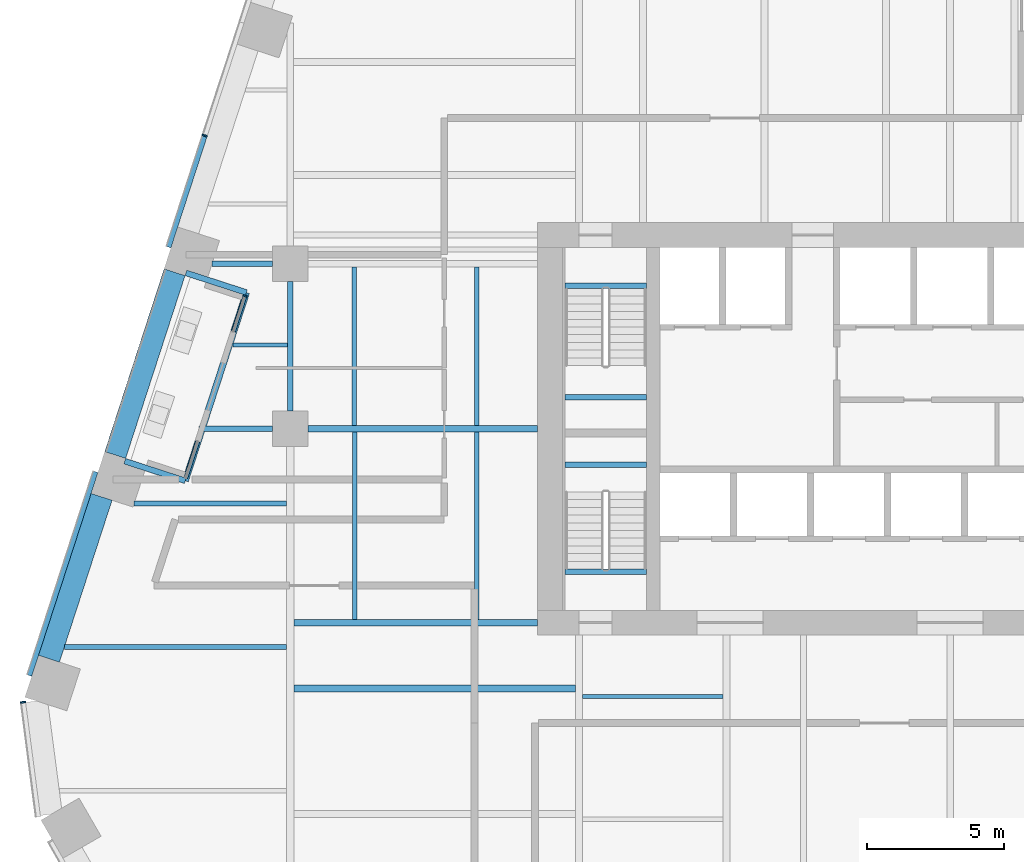
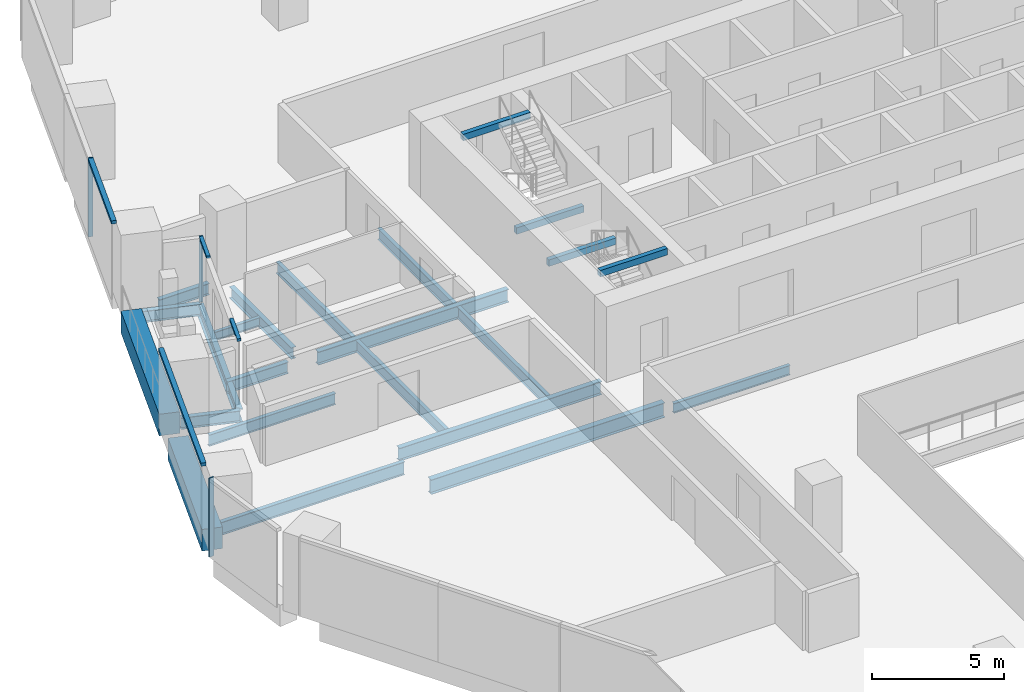
# One storey, part 10 of 28: 23 beams, 7 members, 3 elements without a shape of their own.
"""IFC4 building model written with IfcOpenShell, lengths in metres."""

from ifc_helpers import new_model, si_unit, direction, frame, origin, origin_2d, place, context, subcontext, project, spatial, rectangle, i_section, extrude, material, layer, layer_set, material_profile, profile_set, type_object, element, aggregate, save


model = new_model("IFC4")

# Units and contexts
model_context = context("Model", 3, precision=1e-05, world=origin(), true_north=direction((0.0, 1.0)))
body_context = subcontext(model_context, "Body", "Model", "MODEL_VIEW")
ifc_project = project(units=[si_unit("LENGTHUNIT", "METRE"), si_unit("AREAUNIT", "SQUARE_METRE"), si_unit("VOLUMEUNIT", "CUBIC_METRE"), si_unit("PLANEANGLEUNIT", "RADIAN"), si_unit("MASSUNIT", "GRAM", prefix="KILO")], contexts=[model_context])

# Site, building, storey
site_placement = place(None, origin())
site = spatial("IfcSite", under=ifc_project, at=site_placement, CompositionType="ELEMENT")
building_placement = place(site_placement, origin())
building = spatial("IfcBuilding", under=site, at=building_placement, Name="Isthmus Gate Tower", CompositionType="ELEMENT")
storey_placement = place(building_placement, frame((0.0, 0.0, 84.300048828125)))
storey = spatial("IfcBuildingStorey", under=building, at=storey_placement, Name="L19", CompositionType="ELEMENT", Elevation=84.300048828125)

# Curtain wall, member
ifc_material_1 = material(Name="Aluminium, pale champagne anodised", Category="aluminium")
ifc_layer_1 = layer(ifc_material_1, 0.199951171875)
ifc_layer_set_1 = layer_set([ifc_layer_1], Name="CW-1 UNITISED CURTAIN WALL 200 DEEP")
curtain_wall_type_1 = type_object("IfcCurtainWallType", Name="CW-1 UNITISED CURTAIN WALL 200 DEEP", PredefinedType="NOTDEFINED", material=ifc_layer_set_1)
curtain_wall_1_placement = place(storey_placement, origin())
curtain_wall_1 = element("IfcCurtainWall", 1, at=curtain_wall_1_placement, inside=storey, type_object=curtain_wall_type_1, Name="CW-1 NW L19", PredefinedType="NOTDEFINED")
ifc_material_2 = material(Name="Aluminium, pale champagne anodised", Category="aluminium")
ifc_material_profile_1 = material_profile(ifc_material_2, rectangle(XDim=0.06005859375, YDim=0.199951171875, at=origin_2d()), Name="60x200")
ifc_profile_set_1 = profile_set([ifc_material_profile_1], Name="Aluminium, pale champagne anodised")
member_type_1 = type_object("IfcMemberType", Name="CW-1 MULLION 60 X 200", PredefinedType="MULLION", material=ifc_profile_set_1)
member_1_placement = place(storey_placement, frame((-27.11474609375, 18.163818359375, 0.0), z_axis=(0.0, 0.0, 1.0), x_axis=(-0.309016994375, -0.951056516295, 0.0)))
member_1 = element("IfcMember", 2, at=member_1_placement, type_object=member_type_1, Name="CW-1 mullion", PredefinedType="MULLION", context=body_context, shape_type="SweptSolid", body=[
    extrude(rectangle(XDim=0.06005859375, YDim=0.199951171875, at=origin_2d()), origin(), (0.0, 0.0, 1.0), 3.64990234375),
])

curtain_wall_2_placement = place(storey_placement, origin())
curtain_wall_2 = element("IfcCurtainWall", 3, at=curtain_wall_2_placement, inside=storey, type_object=curtain_wall_type_1, Name="CW-1 NW-SW L19", PredefinedType="NOTDEFINED")
member_2_placement = place(storey_placement, frame((-33.722900390625, -2.44482421875, 0.0), z_axis=(0.0, 0.0, 1.0), x_axis=(0.129164534, -0.991623175988, 0.0)))
member_2 = element("IfcMember", 4, at=member_2_placement, type_object=member_type_1, Name="CW-1 mullion", PredefinedType="MULLION", context=body_context, shape_type="SweptSolid", body=[
    extrude(rectangle(XDim=0.06005859375, YDim=0.199951171875, at=origin_2d()), origin(), (0.0, 0.0, 1.0), 3.64990234375),
])
aggregate(curtain_wall_2, [member_2])

# Member
ifc_material_3 = material(Name="Aluminium, pale champagne anodised", Category="aluminium")
ifc_material_profile_2 = material_profile(ifc_material_3, rectangle(XDim=0.199951171875, YDim=0.14990234375, at=origin_2d()), Name="200x150")
ifc_profile_set_2 = profile_set([ifc_material_profile_2], Name="Aluminium, pale champagne anodised")
member_type_2 = type_object("IfcMemberType", Name="CW-1 TRANSOM 200 X 150", PredefinedType="USERDEFINED", material=ifc_profile_set_2)
member_3_placement = place(storey_placement, frame((-27.1240234375, 18.13525390625, 3.574951171875), z_axis=(-0.309023496777, -0.951054403512, 0.0), x_axis=(0.951054403512, -0.309023496777, 0.0)))
member_3 = element("IfcMember", 5, at=member_3_placement, type_object=member_type_2, Name="CW-1 transom", ObjectType="TRANSOM", PredefinedType="USERDEFINED", context=body_context, shape_type="SweptSolid", body=[
    extrude(rectangle(XDim=0.199951171875, YDim=0.14990234375, at=origin_2d()), origin(), (0.0, 0.0, 1.0), 4.234619140625),
])

member_4_placement = place(storey_placement, frame((-31.0869140625, 5.93896484375, 3.574951171875), z_axis=(-0.309015907338, -0.951056869494, 0.0), x_axis=(0.951056869494, -0.309015907338, 0.0)))
member_4 = element("IfcMember", 6, at=member_4_placement, type_object=member_type_2, Name="CW-1 transom", ObjectType="TRANSOM", PredefinedType="USERDEFINED", context=body_context, shape_type="SweptSolid", body=[
    extrude(rectangle(XDim=0.199951171875, YDim=0.14990234375, at=origin_2d()), origin(), (0.0, 0.0, 1.0), 7.789306640625),
])

aggregate(curtain_wall_1, [member_1, member_3, member_4])

# Curtain wall, members
ifc_material_4 = material(Name="Aluminium, pale champagne anodised", Category="aluminium")
ifc_layer_2 = layer(ifc_material_4, 0.14990234375)
ifc_layer_set_2 = layer_set([ifc_layer_2], Name="CW-6 LOGGIA BACK WALL GLAZING 150 DEEP")
curtain_wall_type_2 = type_object("IfcCurtainWallType", Name="CW-6 LOGGIA BACK WALL GLAZING 150 DEEP", PredefinedType="NOTDEFINED", material=ifc_layer_set_2)
curtain_wall_3_placement = place(storey_placement, origin())
curtain_wall_3 = element("IfcCurtainWall", 7, at=curtain_wall_3_placement, inside=storey, type_object=curtain_wall_type_2, Name="CW-6 NW L19", PredefinedType="NOTDEFINED")
ifc_material_5 = material(Name="Aluminium, pale champagne anodised", Category="aluminium")
ifc_material_profile_3 = material_profile(ifc_material_5, rectangle(XDim=0.06005859375, YDim=0.14990234375, at=origin_2d()), Name="60x150")
ifc_profile_set_3 = profile_set([ifc_material_profile_3], Name="Aluminium, pale champagne anodised")
member_type_3 = type_object("IfcMemberType", Name="CW-6 MULLION 60 X 150", PredefinedType="MULLION", material=ifc_profile_set_3)
member_5_placement = place(storey_placement, frame((-25.645751953125, 12.329833984375, 0.0), z_axis=(0.0, 0.0, 1.0), x_axis=(-0.309016994375, -0.951056516295, 0.0)))
member_5 = element("IfcMember", 8, at=member_5_placement, type_object=member_type_3, Name="CW-6 mullion", PredefinedType="MULLION", context=body_context, shape_type="SweptSolid", body=[
    extrude(rectangle(XDim=0.06005859375, YDim=0.14990234375, at=origin_2d()), origin(), (0.0, 0.0, 1.0), 3.050048828125),
])
ifc_material_6 = material(Name="Aluminium, pale champagne anodised", Category="aluminium")
ifc_material_profile_4 = material_profile(ifc_material_6, rectangle(XDim=0.14990234375, YDim=0.1201171875, at=origin_2d()), Name="150x120")
ifc_profile_set_4 = profile_set([ifc_material_profile_4], Name="Aluminium, pale champagne anodised")
member_type_4 = type_object("IfcMemberType", Name="CW-6 TRANSOM 150 X 120", PredefinedType="USERDEFINED", material=ifc_profile_set_4)
member_6_placement = place(storey_placement, frame((-25.655029296875, 12.30126953125, 2.989990234375), z_axis=(-0.309086072338, -0.951034068731, 0.0), x_axis=(0.951034068731, -0.309086072338, 0.0)))
member_6 = element("IfcMember", 9, at=member_6_placement, type_object=member_type_4, Name="CW-6 transom", ObjectType="TRANSOM", PredefinedType="USERDEFINED", context=body_context, shape_type="SweptSolid", body=[
    extrude(rectangle(XDim=0.14990234375, YDim=0.1201171875, at=origin_2d()), origin(), (0.0, 0.0, 1.0), 1.3349609375),
])
member_7_placement = place(storey_placement, frame((-27.365478515625, 7.037353515625, 2.989990234375), z_axis=(-0.308971280217, -0.951071368511, 0.0), x_axis=(0.951071368511, -0.308971280217, 0.0)))
member_7 = element("IfcMember", 10, at=member_7_placement, type_object=member_type_4, Name="CW-6 transom", ObjectType="TRANSOM", PredefinedType="USERDEFINED", context=body_context, shape_type="SweptSolid", body=[
    extrude(rectangle(XDim=0.14990234375, YDim=0.1201171875, at=origin_2d()), origin(), (0.0, 0.0, 1.0), 1.394775390625),
])
aggregate(curtain_wall_3, [member_5, member_6, member_7])

# Beams
ifc_material_7 = material(Name="Concrete f'c 70 MPa", Category="concrete")
ifc_material_profile_5 = material_profile(ifc_material_7, rectangle(XDim=0.800048828125, YDim=1.0, at=origin_2d()), Name="RC 800X1000")
ifc_profile_set_5 = profile_set([ifc_material_profile_5], Name="Concrete f'c 70 MPa")
beam_type_1 = type_object("IfcBeamType", Name="RC SPANDREL 800 X 1000", PredefinedType="SPANDREL", material=ifc_profile_set_5)
beam_1_placement = place(storey_placement, frame((-32.771240234375, -0.86279296875, -0.5), z_axis=(0.309012042366, 0.951058125286, 0.0), x_axis=(-0.951058125286, 0.309012042366, 0.0)))
element("IfcBeam", 11, at=beam_1_placement, inside=storey, type_object=beam_type_1, Name="str-spandrel-L19-18", PredefinedType="SPANDREL", context=body_context, shape_type="SweptSolid", body=[
    extrude(rectangle(XDim=0.800048828125, YDim=1.0, at=origin_2d()), origin(), (0.0, 0.0, 1.0), 6.189453125),
])
beam_2_placement = place(storey_placement, frame((-30.3642578125, 6.54541015625, -0.5), z_axis=(0.309029993465, 0.951052292537, 0.0), x_axis=(-0.951052292537, 0.309029993465, 0.0)))
element("IfcBeam", 12, at=beam_2_placement, inside=storey, type_object=beam_type_1, Name="str-spandrel-L19-19", PredefinedType="SPANDREL", context=body_context, shape_type="SweptSolid", body=[
    extrude(rectangle(XDim=0.800048828125, YDim=1.0, at=origin_2d()), origin(), (0.0, 0.0, 1.0), 6.9892578125),
])
ifc_material_8 = material(Name="Concrete f'c 40 MPa", Category="concrete")
ifc_material_profile_6 = material_profile(ifc_material_8, rectangle(XDim=0.199951171875, YDim=0.300048828125, at=origin_2d()), Name="STAIR LANDING BEAM RC 200 X 300")
ifc_profile_set_6 = profile_set([ifc_material_profile_6], Name="Concrete f'c 40 MPa")
beam_type_2 = type_object("IfcBeamType", Name="STAIR LANDING BEAM RC 200 X 300", PredefinedType="BEAM", material=ifc_profile_set_6)
for number, where, z_axis, x_axis, name in (
    (13, (-14.0, 8.64990234375, 1.474853515625), (1.0, 0.0, 0.0), (0.0, 1.0, 0.0), "L19 ST1 landing beam 1"),
    (14, (-14.0, 12.7001953125, 3.349853515625), (1.0, 0.0, 0.0), (0.0, 1.0, 0.0), "L19 ST1 floor-edge seat beam"),
    (15, (-14.0, 6.199951171875, 1.474853515625), (1.0, 0.0, 0.0), (0.0, 1.0, 0.0), "L19 ST7 landing beam 1"),
    (16, (-14.0, 2.2998046875, 3.349853515625), (1.0, 0.0, 0.0), (0.0, 1.0, 0.0), "L19 ST7 floor-edge seat beam"),
):
    element("IfcBeam", number, at=place(storey_placement, frame(where, z_axis=z_axis, x_axis=x_axis)), inside=storey, type_object=beam_type_2, Name=name, PredefinedType="BEAM", context=body_context, shape_type="SweptSolid", body=[
        extrude(rectangle(XDim=0.199951171875, YDim=0.300048828125, at=origin_2d()), origin(), (0.0, 0.0, 1.0), 2.949951171875),
    ])
ifc_material_9 = material(Name="Structural steel ASTM A992 Gr 50", Category="steel")
ifc_material_profile_7 = material_profile(ifc_material_9, i_section(OverallWidth=0.1396484375, OverallDepth=0.4033203125, WebThickness=0.00634765625, FlangeThickness=0.010986328125, at=origin_2d()), Name="W16X31")
ifc_profile_set_7 = profile_set([ifc_material_profile_7], Name="Structural steel ASTM A992 Gr 50")
beam_type_3 = type_object("IfcBeamType", Name="STEEL FLOOR BEAM W16X31", PredefinedType="JOIST", material=ifc_profile_set_7)
beam_3_placement = place(storey_placement, frame((-26.088134765625, 10.552490234375, -0.3515625), z_axis=(1.0, 0.0, 0.0), x_axis=(0.0, 1.0, 0.0)))
element("IfcBeam", 17, at=beam_3_placement, inside=storey, type_object=beam_type_3, Name="str-beam-L19-03-00", PredefinedType="JOIST", context=body_context, shape_type="SweptSolid", body=[
    extrude(i_section(OverallWidth=0.1396484375, OverallDepth=0.4033203125, WebThickness=0.00634765625, FlangeThickness=0.010986328125, at=origin_2d()), origin(), (0.0, 0.0, 1.0), 1.9833984375),
])
ifc_material_10 = material(Name="Structural steel ASTM A992 Gr 50", Category="steel")
ifc_material_profile_8 = material_profile(ifc_material_10, i_section(OverallWidth=0.15234375, OverallDepth=0.45068359375, WebThickness=0.0078125, FlangeThickness=0.010986328125, at=origin_2d()), Name="W18X35")
ifc_profile_set_8 = profile_set([ifc_material_profile_8], Name="Structural steel ASTM A992 Gr 50")
beam_type_4 = type_object("IfcBeamType", Name="STEEL FLOOR BEAM W18X35", PredefinedType="JOIST", material=ifc_profile_set_8)
beam_4_placement = place(storey_placement, frame((-13.3681640625, -2.232421875, -0.37548828125), z_axis=(1.0, 0.0, 0.0), x_axis=(0.0, 1.0, 0.0)))
element("IfcBeam", 18, at=beam_4_placement, inside=storey, type_object=beam_type_4, Name="str-beam-L19-14-02", PredefinedType="JOIST", context=body_context, shape_type="SweptSolid", body=[
    extrude(i_section(OverallWidth=0.15234375, OverallDepth=0.45068359375, WebThickness=0.0078125, FlangeThickness=0.010986328125, at=origin_2d()), origin(), (0.0, 0.0, 1.0), 5.1015625),
])
ifc_material_11 = material(Name="Structural steel ASTM A992 Gr 50", Category="steel")
ifc_material_profile_9 = material_profile(ifc_material_11, i_section(OverallWidth=0.1650390625, OverallDepth=0.52392578125, WebThickness=0.009521484375, FlangeThickness=0.010986328125, at=origin_2d()), Name="W21X44")
ifc_profile_set_9 = profile_set([ifc_material_profile_9], Name="Structural steel ASTM A992 Gr 50")
beam_type_5 = type_object("IfcBeamType", Name="STEEL FLOOR BEAM W21X44", PredefinedType="JOIST", material=ifc_profile_set_9)
beam_5_placement = place(storey_placement, frame((-29.675048828125, 4.783447265625, -0.412109375), z_axis=(1.0, 0.0, 0.0), x_axis=(0.0, 1.0, 0.0)))
element("IfcBeam", 19, at=beam_5_placement, inside=storey, type_object=beam_type_5, Name="str-beam-L19-01-03", PredefinedType="JOIST", context=body_context, shape_type="SweptSolid", body=[
    extrude(i_section(OverallWidth=0.1650390625, OverallDepth=0.52392578125, WebThickness=0.009521484375, FlangeThickness=0.010986328125, at=origin_2d()), origin(), (0.0, 0.0, 1.0), 5.541748046875),
])
for number, where, z_axis, x_axis, name in (
    (20, (-21.64990234375, 0.564208984375, -0.412109375), (0.0, 1.0, 0.0), (-1.0, 0.0, 0.0), "str-beam-L19-04-00"),
    (21, (-17.216552734375, 0.564208984375, -0.412109375), (0.0, 1.0, 0.0), (-1.0, 0.0, 0.0), "str-beam-L19-04-01"),
):
    element("IfcBeam", number, at=place(storey_placement, frame(where, z_axis=z_axis, x_axis=x_axis)), inside=storey, type_object=beam_type_5, Name=name, PredefinedType="JOIST", context=body_context, shape_type="SweptSolid", body=[
        extrude(i_section(OverallWidth=0.1650390625, OverallDepth=0.52392578125, WebThickness=0.009521484375, FlangeThickness=0.010986328125, at=origin_2d()), origin(), (0.0, 0.0, 1.0), 6.821533203125),
    ])
for number, where, z_axis, x_axis, name in (
    (22, (-21.67138671875, 7.6142578125, -0.412109375), (0.0, 1.0, 0.0), (-1.0, 0.0, 0.0), "str-beam-L19-05-00"),
    (23, (-17.223876953125, 7.6142578125, -0.412109375), (0.0, 1.0, 0.0), (-1.0, 0.0, 0.0), "str-beam-L19-05-01"),
):
    element("IfcBeam", number, at=place(storey_placement, frame(where, z_axis=z_axis, x_axis=x_axis)), inside=storey, type_object=beam_type_5, Name=name, PredefinedType="JOIST", context=body_context, shape_type="SweptSolid", body=[
        extrude(i_section(OverallWidth=0.1650390625, OverallDepth=0.52392578125, WebThickness=0.009521484375, FlangeThickness=0.010986328125, at=origin_2d()), origin(), (0.0, 0.0, 1.0), 5.771484375),
    ])
ifc_material_12 = material(Name="Structural steel ASTM A992 Gr 50", Category="steel")
ifc_material_profile_10 = material_profile(ifc_material_12, i_section(OverallWidth=0.177734375, OverallDepth=0.60009765625, WebThickness=0.009521484375, FlangeThickness=0.0126953125, at=origin_2d()), Name="W24X55")
ifc_profile_set_10 = profile_set([ifc_material_profile_10], Name="Structural steel ASTM A992 Gr 50")
beam_type_6 = type_object("IfcBeamType", Name="STEEL FLOOR BEAM W24X55", PredefinedType="JOIST", material=ifc_profile_set_10)
beam_6_placement = place(storey_placement, frame((-32.21337890625, -0.4404296875, -0.4501953125), z_axis=(1.0, 0.0, 0.0), x_axis=(0.0, 1.0, 0.0)))
element("IfcBeam", 24, at=beam_6_placement, inside=storey, type_object=beam_type_6, Name="str-beam-L19-01-02", PredefinedType="JOIST", context=body_context, shape_type="SweptSolid", body=[
    extrude(i_section(OverallWidth=0.177734375, OverallDepth=0.60009765625, WebThickness=0.009521484375, FlangeThickness=0.0126953125, at=origin_2d()), origin(), (0.0, 0.0, 1.0), 8.080078125),
])
ifc_material_13 = material(Name="Structural steel ASTM A992 Gr 50", Category="steel")
ifc_material_profile_11 = material_profile(ifc_material_13, i_section(OverallWidth=0.25390625, OverallDepth=0.679443359375, WebThickness=0.010986328125, FlangeThickness=0.015869140625, at=origin_2d()), Name="W27X84")
ifc_profile_set_11 = profile_set([ifc_material_profile_11], Name="Structural steel ASTM A992 Gr 50")
beam_type_7 = type_object("IfcBeamType", Name="STEEL FLOOR BEAM W27X84", PredefinedType="JOIST", material=ifc_profile_set_11)
beam_7_placement = place(storey_placement, frame((-23.86669921875, -1.947998046875, -0.48974609375), z_axis=(1.0, 0.0, 0.0), x_axis=(0.0, 1.0, 0.0)))
element("IfcBeam", 25, at=beam_7_placement, inside=storey, type_object=beam_type_7, Name="str-beam-L19-09-02", PredefinedType="JOIST", context=body_context, shape_type="SweptSolid", body=[
    extrude(i_section(OverallWidth=0.25390625, OverallDepth=0.679443359375, WebThickness=0.010986328125, FlangeThickness=0.015869140625, at=origin_2d()), origin(), (0.0, 0.0, 1.0), 10.23486328125),
])
ifc_material_14 = material(Name="Structural steel ASTM A992 Gr 50", Category="steel")
ifc_material_profile_12 = material_profile(ifc_material_14, i_section(OverallWidth=0.20947265625, OverallDepth=0.533447265625, WebThickness=0.009521484375, FlangeThickness=0.015869140625, at=origin_2d()), Name="W21X62")
ifc_profile_set_12 = profile_set([ifc_material_profile_12], Name="Structural steel ASTM A992 Gr 50")
beam_type_8 = type_object("IfcBeamType", Name="STEEL GIRDER W21X62", PredefinedType="BEAM", material=ifc_profile_set_12)
beam_8_placement = place(storey_placement, frame((-27.3203125, 7.5, -0.416748046875), z_axis=(1.0, 0.0, 0.0), x_axis=(0.0, 1.0, 0.0)))
element("IfcBeam", 26, at=beam_8_placement, inside=storey, type_object=beam_type_8, Name="str-girder-L19-09", PredefinedType="BEAM", context=body_context, shape_type="SweptSolid", body=[
    extrude(i_section(OverallWidth=0.20947265625, OverallDepth=0.533447265625, WebThickness=0.009521484375, FlangeThickness=0.015869140625, at=origin_2d()), origin(), (0.0, 0.0, 1.0), 2.67041015625),
])
beam_9_placement = place(storey_placement, frame((-26.8427734375, 13.5, -0.416748046875), z_axis=(1.0, 0.0, 0.0), x_axis=(0.0, 1.0, 0.0)))
element("IfcBeam", 27, at=beam_9_placement, inside=storey, type_object=beam_type_8, Name="str-girder-L19-13", PredefinedType="BEAM", context=body_context, shape_type="SweptSolid", body=[
    extrude(i_section(OverallWidth=0.20947265625, OverallDepth=0.533447265625, WebThickness=0.009521484375, FlangeThickness=0.015869140625, at=origin_2d()), origin(), (0.0, 0.0, 1.0), 2.19287109375),
])
beam_10_placement = place(storey_placement, frame((-24.0, 8.14990234375, -0.416748046875), z_axis=(0.0, 1.0, 0.0), x_axis=(-1.0, 0.0, 0.0)))
element("IfcBeam", 28, at=beam_10_placement, inside=storey, type_object=beam_type_8, Name="str-girder-L19-22", PredefinedType="BEAM", context=body_context, shape_type="SweptSolid", body=[
    extrude(i_section(OverallWidth=0.20947265625, OverallDepth=0.533447265625, WebThickness=0.009521484375, FlangeThickness=0.015869140625, at=origin_2d()), origin(), (0.0, 0.0, 1.0), 4.7001953125),
])
ifc_material_15 = material(Name="Structural steel ASTM A992 Gr 50", Category="steel")
ifc_material_profile_13 = material_profile(ifc_material_15, i_section(OverallWidth=0.228515625, OverallDepth=0.6064453125, WebThickness=0.010986328125, FlangeThickness=0.017578125, at=origin_2d()), Name="W24X76")
ifc_profile_set_13 = profile_set([ifc_material_profile_13], Name="Structural steel ASTM A992 Gr 50")
beam_type_9 = type_object("IfcBeamType", Name="STEEL GIRDER W24X76", PredefinedType="BEAM", material=ifc_profile_set_13)
beam_11_placement = place(storey_placement, frame((-23.35009765625, 7.5, -0.453369140625), z_axis=(1.0, 0.0, 0.0), x_axis=(0.0, 1.0, 0.0)))
element("IfcBeam", 29, at=beam_11_placement, inside=storey, type_object=beam_type_9, Name="str-girder-L19-10", PredefinedType="BEAM", context=body_context, shape_type="SweptSolid", body=[
    extrude(i_section(OverallWidth=0.228515625, OverallDepth=0.6064453125, WebThickness=0.010986328125, FlangeThickness=0.017578125, at=origin_2d()), origin(), (0.0, 0.0, 1.0), 8.35009765625),
])
beam_12_placement = place(storey_placement, frame((-15.0, 0.449951171875, -0.453369140625), z_axis=(-1.0, 0.0, 0.0), x_axis=(0.0, -1.0, 0.0)))
element("IfcBeam", 30, at=beam_12_placement, inside=storey, type_object=beam_type_9, Name="str-girder-L19-39", PredefinedType="BEAM", context=body_context, shape_type="SweptSolid", body=[
    extrude(i_section(OverallWidth=0.228515625, OverallDepth=0.6064453125, WebThickness=0.010986328125, FlangeThickness=0.017578125, at=origin_2d()), origin(), (0.0, 0.0, 1.0), 8.86669921875),
])
ifc_material_16 = material(Name="Structural steel ASTM A992 Gr 50", Category="steel")
ifc_material_profile_14 = material_profile(ifc_material_16, i_section(OverallWidth=0.20947265625, OverallDepth=0.533447265625, WebThickness=0.009521484375, FlangeThickness=0.015869140625, at=origin_2d()), Name="W21X62")
ifc_profile_set_14 = profile_set([ifc_material_profile_14], Name="Structural steel ASTM A992 Gr 50")
beam_type_10 = type_object("IfcBeamType", Name="STEEL TRIMMER W21X62", PredefinedType="BEAM", material=ifc_profile_set_14)
for number, where, z_axis, x_axis, name in (
    (31, (-27.79150390625, 13.168701171875, -0.416748046875), (0.951030192385, -0.3090979993, 0.0), (0.3090979993, 0.951030192385, 0.0), "str-loggiatrim-L19-02-A"),
    (32, (-30.01611328125, 6.322021484375, -0.416748046875), (0.951061199846, -0.309002579517, 0.0), (0.309002579517, 0.951061199846, 0.0), "str-loggiatrim-L19-02-C"),
):
    element("IfcBeam", number, at=place(storey_placement, frame(where, z_axis=z_axis, x_axis=x_axis)), inside=storey, type_object=beam_type_10, Name=name, PredefinedType="BEAM", context=body_context, shape_type="SweptSolid", body=[
        extrude(i_section(OverallWidth=0.20947265625, OverallDepth=0.533447265625, WebThickness=0.009521484375, FlangeThickness=0.015869140625, at=origin_2d()), origin(), (0.0, 0.0, 1.0), 2.314208984375),
    ])
ifc_material_17 = material(Name="Structural steel ASTM A992 Gr 50", Category="steel")
ifc_material_profile_15 = material_profile(ifc_material_17, i_section(OverallWidth=0.228515625, OverallDepth=0.603271484375, WebThickness=0.010986328125, FlangeThickness=0.014404296875, at=origin_2d()), Name="W24X68")
ifc_profile_set_15 = profile_set([ifc_material_profile_15], Name="Structural steel ASTM A992 Gr 50")
beam_type_11 = type_object("IfcBeamType", Name="STEEL TRIMMER W24X68", PredefinedType="BEAM", material=ifc_profile_set_15)
beam_13_placement = place(storey_placement, frame((-25.590576171875, 12.453369140625, -0.45166015625), z_axis=(-0.309025490236, -0.951053755781, 0.0), x_axis=(0.951053755781, -0.309025490236, 0.0)))
element("IfcBeam", 33, at=beam_13_placement, inside=storey, type_object=beam_type_11, Name="str-loggiatrim-L19-02-B", PredefinedType="BEAM", context=body_context, shape_type="SweptSolid", body=[
    extrude(i_section(OverallWidth=0.228515625, OverallDepth=0.603271484375, WebThickness=0.010986328125, FlangeThickness=0.014404296875, at=origin_2d()), origin(), (0.0, 0.0, 1.0), 7.19873046875),
])

save(model, "model.ifc")
